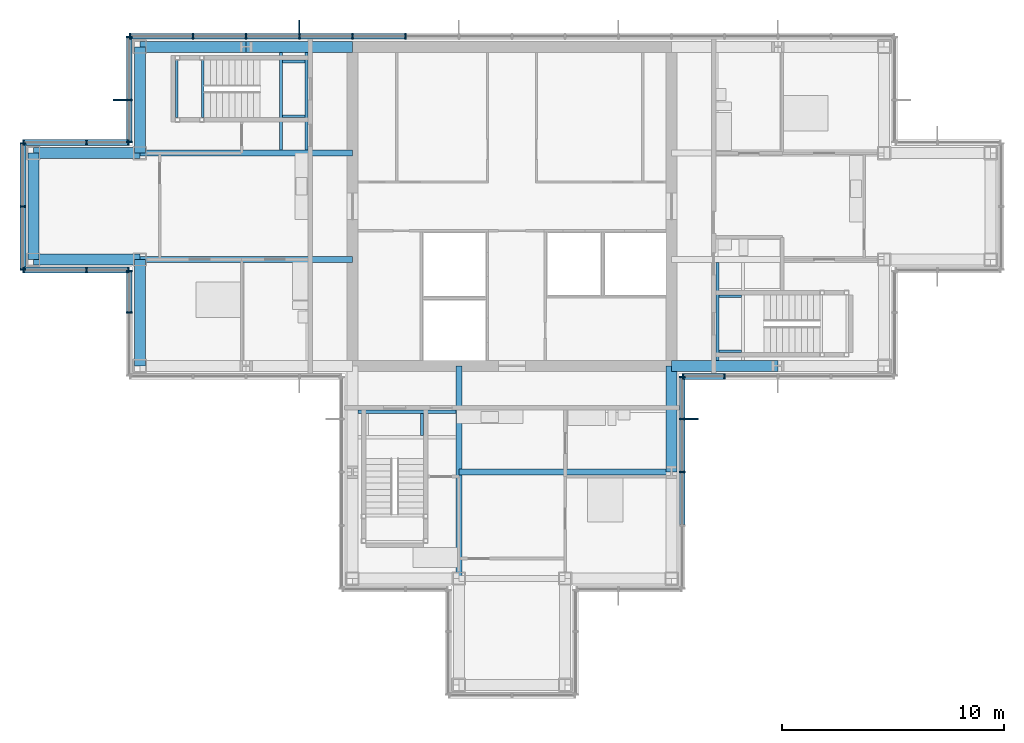
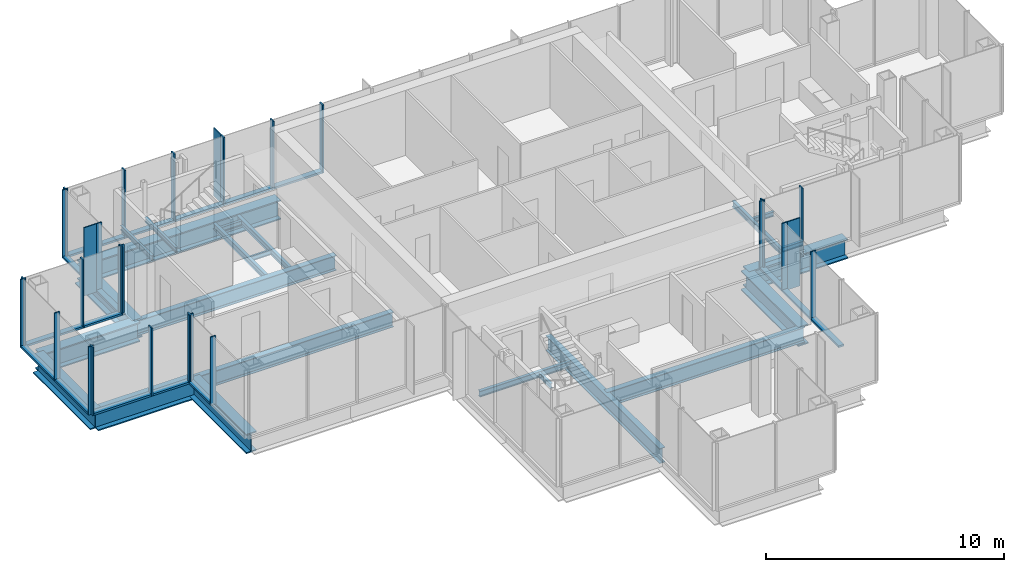
# One storey, part 6 of 15: 46 members, 24 beams, 8 elements without a shape of their own.
"""IFC4 building model written with IfcOpenShell, lengths in metres."""

import ifcopenshell
import ifcopenshell.guid

model = None  # the IFC model being written
_history = None  # IfcOwnerHistory: only IFC2X3 demands one
_inside = {}  # id of a spatial element -> (the spatial element, [elements in it])
_under = {}  # id of a project, library or spatial element -> (it, [spatial elements below it])
_declared = {}  # id of a project -> (the project, [libraries it declares])
_typed = {}  # id of a type object -> (the type object, [elements of that type])
_made_of = {}  # id of a material, layer set ... -> (it, [elements and type objects made of it])


def new_model(schema):
    """Start an empty IFC model of exactly this schema.

    Asked for "IFC4X3", IfcOpenShell would pick the latest addendum, in which some entities
    have other attributes; the version numbers below select the first issue.
    IFC2X3 requires an IfcOwnerHistory on every rooted entity: one is made here for all.
    """
    global model, _history
    if schema == "IFC4X3":
        model = ifcopenshell.file(schema_version=(4, 3, 0, 0))
    else:
        model = ifcopenshell.file(schema=schema)
    _inside.clear()
    _under.clear()
    _declared.clear()
    _typed.clear()
    _made_of.clear()
    _history = None
    if model.schema == "IFC2X3":
        org = make("IfcOrganization", Name="unknown")
        user = make(
            "IfcPersonAndOrganization",
            ThePerson=make("IfcPerson", FamilyName="unknown"),
            TheOrganization=org,
        )
        app = make(
            "IfcApplication",
            ApplicationDeveloper=org,
            Version="unknown",
            ApplicationFullName="unknown",
            ApplicationIdentifier="unknown",
        )
        _history = make(
            "IfcOwnerHistory",
            OwningUser=user,
            OwningApplication=app,
            ChangeAction="ADDED",
            CreationDate=0,
        )
    return model


def make(cls, **values):
    """One entity of the class cls with the attributes given. An attribute that is None is left unset."""
    return model.create_entity(
        cls, **{name: value for name, value in values.items() if value is not None}
    )


def rooted(cls, **values):
    """An entity with a GlobalId (a new one), such as an element, a storey or a relation."""
    return make(cls, GlobalId=ifcopenshell.guid.new(), OwnerHistory=_history, **values)


def si_unit(unit_type, name, prefix=None):
    """IfcSIUnit, for example si_unit("LENGTHUNIT", "METRE", prefix="MILLI")."""
    return make("IfcSIUnit", UnitType=unit_type, Prefix=prefix, Name=name)


def assignment(units):
    """IfcUnitAssignment: the units of a project."""
    return None if units is None else make("IfcUnitAssignment", Units=units)


def point(xyz):
    """IfcCartesianPoint."""
    return None if xyz is None else make("IfcCartesianPoint", Coordinates=xyz)


def direction(xyz):
    """IfcDirection."""
    return None if xyz is None else make("IfcDirection", DirectionRatios=xyz)


def frame(location, z_axis=None, x_axis=None):
    """IfcAxis2Placement3D, a coordinate frame: its origin and axes. An axis left out is left unset."""
    return make(
        "IfcAxis2Placement3D",
        Location=point(location),
        Axis=direction(z_axis),
        RefDirection=direction(x_axis),
    )


def frame_2d(location, x_axis=None):
    """IfcAxis2Placement2D, a coordinate frame in the plane: its origin and x axis."""
    return make(
        "IfcAxis2Placement2D", Location=point(location), RefDirection=direction(x_axis)
    )


def origin():
    """The frame at (0, 0, 0) with its axes left unset."""
    return frame((0.0, 0.0, 0.0))


def origin_2d():
    """The frame at (0, 0) in the plane with its x axis left unset."""
    return frame_2d((0.0, 0.0))


def place(relative_to, where):
    """IfcLocalPlacement: puts the frame where relative to a parent placement (None: the world)."""
    return make(
        "IfcLocalPlacement", PlacementRelTo=relative_to, RelativePlacement=where
    )


def context(
    kind, dimensions, precision=None, world=None, true_north=None, identifier=None
):
    """IfcGeometricRepresentationContext, for example the 3D "Model" context."""
    return make(
        "IfcGeometricRepresentationContext",
        ContextIdentifier=identifier,
        ContextType=kind,
        CoordinateSpaceDimension=dimensions,
        Precision=precision,
        WorldCoordinateSystem=world,
        TrueNorth=true_north,
    )


def subcontext(parent, identifier, kind, view, scale=None):
    """IfcGeometricRepresentationSubContext, for example "Body" below "Model"."""
    return make(
        "IfcGeometricRepresentationSubContext",
        ContextIdentifier=identifier,
        ContextType=kind,
        ParentContext=parent,
        TargetScale=scale,
        TargetView=view,
    )


def project(units=None, contexts=None):
    """IfcProject with its units and contexts."""
    return rooted(
        "IfcProject",
        Name="project",
        RepresentationContexts=contexts,
        UnitsInContext=assignment(units),
    )


def spatial(cls, under=None, at=None, **own):
    """A site, building, storey or space (cls), placed at a placement, below another one or the project."""
    s = rooted(cls, ObjectPlacement=at, **own)
    if under is not None:
        _under.setdefault(under.id(), (under, []))[1].append(s)
    return s


def profile(cls, at=None, kind="AREA", **sizes):
    """A parametric profile (cls). Its sizes go by their IFC names, for example OverallWidth=200.0."""
    return make(cls, ProfileType=kind, Position=at, **sizes)


def rectangle(**sizes):
    """IfcRectangleProfileDef."""
    return profile("IfcRectangleProfileDef", **sizes)


def i_section(**sizes):
    """IfcIShapeProfileDef."""
    return profile("IfcIShapeProfileDef", **sizes)


def extrude(swept, where, along, depth):
    """IfcExtrudedAreaSolid: the profile swept, set in the frame where, extruded along a direction by depth."""
    return make(
        "IfcExtrudedAreaSolid",
        SweptArea=swept,
        Position=where,
        ExtrudedDirection=direction(along),
        Depth=depth,
    )


def shape(context_of_items, identifier, shape_type, items):
    """IfcShapeRepresentation: the items that make up one representation, for example the "Body"."""
    return make(
        "IfcShapeRepresentation",
        ContextOfItems=context_of_items,
        RepresentationIdentifier=identifier,
        RepresentationType=shape_type,
        Items=items,
    )


def material(Name=None, Category=None):
    """IfcMaterial."""
    return make("IfcMaterial", Name=Name, Category=Category)


def material_profile(
    of_material, cross_section, Name=None, Category=None, Priority=None
):
    """IfcMaterialProfile: a cross section and its material."""
    return make(
        "IfcMaterialProfile",
        Name=Name,
        Material=of_material,
        Profile=cross_section,
        Priority=Priority,
        Category=Category,
    )


def profile_set(profiles, Name=None, composite=None):
    """IfcMaterialProfileSet."""
    return make(
        "IfcMaterialProfileSet",
        Name=Name,
        MaterialProfiles=profiles,
        CompositeProfile=composite,
    )


def made_of(thing, what):
    """Note that an element or type object is made of a material, layer set ...; save() writes the relation."""
    if what is not None:
        _made_of.setdefault(what.id(), (what, []))[1].append(thing)
    return thing


def type_object(cls, material=None, **own):
    """A type object (cls), such as IfcWallType, which elements share."""
    return made_of(rooted(cls, **own), material)


def element(
    cls,
    number,
    at=None,
    inside=None,
    cuts=None,
    type_object=None,
    material=None,
    context=None,
    identifier="Body",
    shape_type=None,
    held_by="IfcProductDefinitionShape",
    body=None,
    shapes=None,
    **own,
):
    """One element of the class cls, such as IfcWall. Its Tag is "e" and its number.

    at: its placement. inside: the storey or other place that contains it. cuts: it is an
    opening in that element (IfcRelVoidsElement). A single representation is given by context,
    identifier, shape_type and body (its items); several are given by shapes. held_by: the class
    of the entity that holds the representations. save() writes the other relations.
    """
    e = rooted(cls, Tag="e%d" % number, ObjectPlacement=at, **own)
    if body is not None:
        shapes = [shape(context, identifier, shape_type, body)]
    if shapes is not None:
        e.Representation = make(held_by, Representations=shapes)
    if inside is not None:
        _inside.setdefault(inside.id(), (inside, []))[1].append(e)
    if cuts is not None:
        rooted(
            "IfcRelVoidsElement", RelatingBuildingElement=cuts, RelatedOpeningElement=e
        )
    if type_object is not None:
        _typed.setdefault(type_object.id(), (type_object, []))[1].append(e)
    return made_of(e, material)


def aggregate(whole, parts):
    """IfcRelAggregates: a whole, such as a stair, and the parts it consists of."""
    return rooted("IfcRelAggregates", RelatingObject=whole, RelatedObjects=parts)


def save(model, path):
    """Write the relations noted so far, then the file.

    IfcRelAggregates (storeys below a building ...), IfcRelContainedInSpatialStructure (elements
    in a storey), IfcRelDefinesByType, IfcRelAssociatesMaterial and IfcRelDeclares: one each for
    every whole, place, type object, material and project.
    """
    for whole, parts in _under.values():
        aggregate(whole, parts)
    for where, things in _inside.values():
        rooted(
            "IfcRelContainedInSpatialStructure",
            RelatedElements=things,
            RelatingStructure=where,
        )
    for kind, things in _typed.values():
        rooted("IfcRelDefinesByType", RelatedObjects=things, RelatingType=kind)
    for what, things in _made_of.values():
        rooted("IfcRelAssociatesMaterial", RelatedObjects=things, RelatingMaterial=what)
    for by, libraries in _declared.values():
        rooted("IfcRelDeclares", RelatingContext=by, RelatedDefinitions=libraries)
    model.write(path)


model = new_model("IFC4")

# Units and contexts
model_context = context("Model", 3, precision=1e-05, world=origin(), true_north=direction((0.0, 1.0)))
body_context = subcontext(model_context, "Body", "Model", "MODEL_VIEW")
ifc_project = project(units=[si_unit("LENGTHUNIT", "METRE"), si_unit("AREAUNIT", "SQUARE_METRE"), si_unit("VOLUMEUNIT", "CUBIC_METRE"), si_unit("PLANEANGLEUNIT", "RADIAN"), si_unit("MASSUNIT", "GRAM", prefix="KILO")], contexts=[model_context])

# Site, building, storey
site_placement = place(None, origin())
site = spatial("IfcSite", under=ifc_project, at=site_placement, CompositionType="ELEMENT")
building_placement = place(site_placement, origin())
building = spatial("IfcBuilding", under=site, at=building_placement, Name="Kvirike Care Tower", CompositionType="ELEMENT")
storey_placement = place(building_placement, frame((0.0, 0.0, 201.5)))
storey = spatial("IfcBuildingStorey", under=building, at=storey_placement, Name="L55", CompositionType="ELEMENT", Elevation=201.5)

# Curtain wall, member
ifc_material_1 = material(Name="Anodised aluminium stick system", Category="aluminium")
curtain_wall_type = type_object("IfcCurtainWallType", Name="CW-D STICK CURTAIN WALL", PredefinedType="NOTDEFINED", material=ifc_material_1)
curtain_wall_1_placement = place(storey_placement, origin())
curtain_wall_1 = element("IfcCurtainWall", 1, at=curtain_wall_1_placement, inside=storey, type_object=curtain_wall_type, Name="Curtain wall L55 face 7", PredefinedType="NOTDEFINED")
ifc_material_2 = material(Name="Bronze anodised aluminium fin", Category="aluminium")
ifc_material_profile_1 = material_profile(ifc_material_2, rectangle(XDim=0.050048828125, YDim=0.60009765625, at=origin_2d()), Name="BRONZE FIN 600")
ifc_profile_set_1 = profile_set([ifc_material_profile_1], Name="Bronze anodised aluminium fin")
member_type_1 = type_object("IfcMemberType", Name="BRONZE FIN 600", PredefinedType="USERDEFINED", material=ifc_profile_set_1)
member_1_placement = place(storey_placement, frame((12.0, 44.110107421875, 0.0), z_axis=(0.0, 0.0, 1.0), x_axis=(-1.0, 0.0, 0.0)))
member_1 = element("IfcMember", 2, at=member_1_placement, type_object=member_type_1, Name="Bronze fin L55 face 7.12", ObjectType="FIN", PredefinedType="USERDEFINED", context=body_context, shape_type="SweptSolid", body=[
    extrude(rectangle(XDim=0.050048828125, YDim=0.60009765625, at=origin_2d()), origin(), (0.0, 0.0, 1.0), 3.5),
])

curtain_wall_2_placement = place(storey_placement, origin())
curtain_wall_2 = element("IfcCurtainWall", 3, at=curtain_wall_2_placement, inside=storey, type_object=curtain_wall_type, Name="Curtain wall L55 face 8", PredefinedType="NOTDEFINED")
member_2_placement = place(storey_placement, frame((3.889892578125, 40.800048828125, 0.0), z_axis=(0.0, 0.0, 1.0), x_axis=(0.0, -1.0, 0.0)))
member_2 = element("IfcMember", 4, at=member_2_placement, type_object=member_type_1, Name="Bronze fin L55 face 8.2", ObjectType="FIN", PredefinedType="USERDEFINED", context=body_context, shape_type="SweptSolid", body=[
    extrude(rectangle(XDim=0.050048828125, YDim=0.60009765625, at=origin_2d()), origin(), (0.0, 0.0, 1.0), 3.5),
])

curtain_wall_3_placement = place(storey_placement, origin())
curtain_wall_3 = element("IfcCurtainWall", 5, at=curtain_wall_3_placement, inside=storey, type_object=curtain_wall_type, Name="Curtain wall L55 face 20", PredefinedType="NOTDEFINED")
member_3_placement = place(storey_placement, frame((29.7099609375, 26.39990234375, 0.0), z_axis=(0.0, 0.0, 1.0), x_axis=(0.0, 1.0, 0.0)))
member_3 = element("IfcMember", 6, at=member_3_placement, type_object=member_type_1, Name="Bronze fin L55 face 20.4", ObjectType="FIN", PredefinedType="USERDEFINED", context=body_context, shape_type="SweptSolid", body=[
    extrude(rectangle(XDim=0.050048828125, YDim=0.60009765625, at=origin_2d()), origin(), (0.0, 0.0, 1.0), 3.5),
])

# Curtain wall, members
curtain_wall_4_placement = place(storey_placement, origin())
curtain_wall_4 = element("IfcCurtainWall", 7, at=curtain_wall_4_placement, inside=storey, type_object=curtain_wall_type, Name="Curtain wall L55 face 1", PredefinedType="NOTDEFINED")
ifc_material_3 = material(Name="Bronze anodised aluminium mullion", Category="aluminium")
ifc_material_profile_2 = material_profile(ifc_material_3, rectangle(XDim=0.06494140625, YDim=0.260009765625, at=origin_2d()), Name="CW-D MULLION 65x260")
ifc_profile_set_2 = profile_set([ifc_material_profile_2], Name="Bronze anodised aluminium mullion")
member_type_2 = type_object("IfcMemberType", Name="CW-D MULLION 65x260", PredefinedType="MULLION", material=ifc_profile_set_2)
member_4_placement = place(storey_placement, frame((29.3125, 28.320068359375, 0.0), z_axis=(0.0, 0.0, 1.0), x_axis=(1.0, 0.0, 0.0)))
member_4 = element("IfcMember", 8, at=member_4_placement, type_object=member_type_2, Name="CW-D mullion L55 face 1.1", PredefinedType="MULLION", context=body_context, shape_type="SweptSolid", body=[
    extrude(rectangle(XDim=0.06494140625, YDim=0.260009765625, at=origin_2d()), origin(), (0.0, 0.0, 1.0), 3.5),
])
member_5_placement = place(storey_placement, frame((31.199951171875, 28.320068359375, 0.0), z_axis=(0.0, 0.0, 1.0), x_axis=(1.0, 0.0, 0.0)))
member_5 = element("IfcMember", 9, at=member_5_placement, type_object=member_type_2, Name="CW-D mullion L55 face 1.2", PredefinedType="MULLION", context=body_context, shape_type="SweptSolid", body=[
    extrude(rectangle(XDim=0.06494140625, YDim=0.260009765625, at=origin_2d()), origin(), (0.0, 0.0, 1.0), 3.5),
])

# Member
member_6_placement = place(storey_placement, frame((16.800048828125, 43.679931640625, 0.0), z_axis=(0.0, 0.0, 1.0), x_axis=(-1.0, 0.0, 0.0)))
member_6 = element("IfcMember", 10, at=member_6_placement, type_object=member_type_2, Name="CW-D mullion L55 face 7.10", PredefinedType="MULLION", context=body_context, shape_type="SweptSolid", body=[
    extrude(rectangle(XDim=0.06494140625, YDim=0.260009765625, at=origin_2d()), origin(), (0.0, 0.0, 1.0), 3.5),
])

member_7_placement = place(storey_placement, frame((14.39990234375, 43.679931640625, 0.0), z_axis=(0.0, 0.0, 1.0), x_axis=(-1.0, 0.0, 0.0)))
member_7 = element("IfcMember", 11, at=member_7_placement, type_object=member_type_2, Name="CW-D mullion L55 face 7.11", PredefinedType="MULLION", context=body_context, shape_type="SweptSolid", body=[
    extrude(rectangle(XDim=0.06494140625, YDim=0.260009765625, at=origin_2d()), origin(), (0.0, 0.0, 1.0), 3.5),
])

member_8_placement = place(storey_placement, frame((12.0, 43.679931640625, 0.0), z_axis=(0.0, 0.0, 1.0), x_axis=(-1.0, 0.0, 0.0)))
member_8 = element("IfcMember", 12, at=member_8_placement, type_object=member_type_2, Name="CW-D mullion L55 face 7.12", PredefinedType="MULLION", context=body_context, shape_type="SweptSolid", body=[
    extrude(rectangle(XDim=0.06494140625, YDim=0.260009765625, at=origin_2d()), origin(), (0.0, 0.0, 1.0), 3.5),
])

member_9_placement = place(storey_placement, frame((9.60009765625, 43.679931640625, 0.0), z_axis=(0.0, 0.0, 1.0), x_axis=(-1.0, 0.0, 0.0)))
member_9 = element("IfcMember", 13, at=member_9_placement, type_object=member_type_2, Name="CW-D mullion L55 face 7.13", PredefinedType="MULLION", context=body_context, shape_type="SweptSolid", body=[
    extrude(rectangle(XDim=0.06494140625, YDim=0.260009765625, at=origin_2d()), origin(), (0.0, 0.0, 1.0), 3.5),
])

member_10_placement = place(storey_placement, frame((7.199951171875, 43.679931640625, 0.0), z_axis=(0.0, 0.0, 1.0), x_axis=(-1.0, 0.0, 0.0)))
member_10 = element("IfcMember", 14, at=member_10_placement, type_object=member_type_2, Name="CW-D mullion L55 face 7.14", PredefinedType="MULLION", context=body_context, shape_type="SweptSolid", body=[
    extrude(rectangle(XDim=0.06494140625, YDim=0.260009765625, at=origin_2d()), origin(), (0.0, 0.0, 1.0), 3.5),
])

member_11_placement = place(storey_placement, frame((4.3525390625, 43.679931640625, 0.0), z_axis=(0.0, 0.0, 1.0), x_axis=(-1.0, 0.0, 0.0)))
member_11 = element("IfcMember", 15, at=member_11_placement, type_object=member_type_2, Name="CW-D mullion L55 face 7.15", PredefinedType="MULLION", context=body_context, shape_type="SweptSolid", body=[
    extrude(rectangle(XDim=0.06494140625, YDim=0.260009765625, at=origin_2d()), origin(), (0.0, 0.0, 1.0), 3.5),
])

member_12_placement = place(storey_placement, frame((4.320068359375, 43.6474609375, 0.0), z_axis=(0.0, 0.0, 1.0), x_axis=(0.0, -1.0, 0.0)))
member_12 = element("IfcMember", 16, at=member_12_placement, type_object=member_type_2, Name="CW-D mullion L55 face 8.1", PredefinedType="MULLION", context=body_context, shape_type="SweptSolid", body=[
    extrude(rectangle(XDim=0.06494140625, YDim=0.260009765625, at=origin_2d()), origin(), (0.0, 0.0, 1.0), 3.5),
])

member_13_placement = place(storey_placement, frame((4.320068359375, 40.800048828125, 0.0), z_axis=(0.0, 0.0, 1.0), x_axis=(0.0, -1.0, 0.0)))
member_13 = element("IfcMember", 17, at=member_13_placement, type_object=member_type_2, Name="CW-D mullion L55 face 8.2", PredefinedType="MULLION", context=body_context, shape_type="SweptSolid", body=[
    extrude(rectangle(XDim=0.06494140625, YDim=0.260009765625, at=origin_2d()), origin(), (0.0, 0.0, 1.0), 3.5),
])

member_14_placement = place(storey_placement, frame((4.320068359375, 38.91259765625, 0.0), z_axis=(0.0, 0.0, 1.0), x_axis=(0.0, -1.0, 0.0)))
member_14 = element("IfcMember", 18, at=member_14_placement, type_object=member_type_2, Name="CW-D mullion L55 face 8.3", PredefinedType="MULLION", context=body_context, shape_type="SweptSolid", body=[
    extrude(rectangle(XDim=0.06494140625, YDim=0.260009765625, at=origin_2d()), origin(), (0.0, 0.0, 1.0), 3.5),
])

# Curtain wall, members
curtain_wall_5_placement = place(storey_placement, origin())
curtain_wall_5 = element("IfcCurtainWall", 19, at=curtain_wall_5_placement, inside=storey, type_object=curtain_wall_type, Name="Curtain wall L55 face 9", PredefinedType="NOTDEFINED")
member_15_placement = place(storey_placement, frame((4.28759765625, 38.8798828125, 0.0), z_axis=(0.0, 0.0, 1.0), x_axis=(-1.0, 0.0, 0.0)))
member_15 = element("IfcMember", 20, at=member_15_placement, type_object=member_type_2, Name="CW-D mullion L55 face 9.1", PredefinedType="MULLION", context=body_context, shape_type="SweptSolid", body=[
    extrude(rectangle(XDim=0.06494140625, YDim=0.260009765625, at=origin_2d()), origin(), (0.0, 0.0, 1.0), 3.5),
])
member_16_placement = place(storey_placement, frame((2.39990234375, 38.8798828125, 0.0), z_axis=(0.0, 0.0, 1.0), x_axis=(-1.0, 0.0, 0.0)))
member_16 = element("IfcMember", 21, at=member_16_placement, type_object=member_type_2, Name="CW-D mullion L55 face 9.2", PredefinedType="MULLION", context=body_context, shape_type="SweptSolid", body=[
    extrude(rectangle(XDim=0.06494140625, YDim=0.260009765625, at=origin_2d()), origin(), (0.0, 0.0, 1.0), 3.5),
])
member_17_placement = place(storey_placement, frame((-0.447509765625, 38.8798828125, 0.0), z_axis=(0.0, 0.0, 1.0), x_axis=(-1.0, 0.0, 0.0)))
member_17 = element("IfcMember", 22, at=member_17_placement, type_object=member_type_2, Name="CW-D mullion L55 face 9.3", PredefinedType="MULLION", context=body_context, shape_type="SweptSolid", body=[
    extrude(rectangle(XDim=0.06494140625, YDim=0.260009765625, at=origin_2d()), origin(), (0.0, 0.0, 1.0), 3.5),
])

curtain_wall_6_placement = place(storey_placement, origin())
curtain_wall_6 = element("IfcCurtainWall", 23, at=curtain_wall_6_placement, inside=storey, type_object=curtain_wall_type, Name="Curtain wall L55 face 10", PredefinedType="NOTDEFINED")
member_18_placement = place(storey_placement, frame((-0.47998046875, 38.847412109375, 0.0), z_axis=(0.0, 0.0, 1.0), x_axis=(0.0, -1.0, 0.0)))
member_18 = element("IfcMember", 24, at=member_18_placement, type_object=member_type_2, Name="CW-D mullion L55 face 10.1", PredefinedType="MULLION", context=body_context, shape_type="SweptSolid", body=[
    extrude(rectangle(XDim=0.06494140625, YDim=0.260009765625, at=origin_2d()), origin(), (0.0, 0.0, 1.0), 3.5),
])
member_19_placement = place(storey_placement, frame((-0.47998046875, 36.0, 0.0), z_axis=(0.0, 0.0, 1.0), x_axis=(0.0, -1.0, 0.0)))
member_19 = element("IfcMember", 25, at=member_19_placement, type_object=member_type_2, Name="CW-D mullion L55 face 10.2", PredefinedType="MULLION", context=body_context, shape_type="SweptSolid", body=[
    extrude(rectangle(XDim=0.06494140625, YDim=0.260009765625, at=origin_2d()), origin(), (0.0, 0.0, 1.0), 3.5),
])
member_20_placement = place(storey_placement, frame((-0.47998046875, 33.152587890625, 0.0), z_axis=(0.0, 0.0, 1.0), x_axis=(0.0, -1.0, 0.0)))
member_20 = element("IfcMember", 26, at=member_20_placement, type_object=member_type_2, Name="CW-D mullion L55 face 10.3", PredefinedType="MULLION", context=body_context, shape_type="SweptSolid", body=[
    extrude(rectangle(XDim=0.06494140625, YDim=0.260009765625, at=origin_2d()), origin(), (0.0, 0.0, 1.0), 3.5),
])

curtain_wall_7_placement = place(storey_placement, origin())
curtain_wall_7 = element("IfcCurtainWall", 27, at=curtain_wall_7_placement, inside=storey, type_object=curtain_wall_type, Name="Curtain wall L55 face 11", PredefinedType="NOTDEFINED")
member_21_placement = place(storey_placement, frame((-0.447509765625, 33.1201171875, 0.0), z_axis=(0.0, 0.0, 1.0), x_axis=(1.0, 0.0, 0.0)))
member_21 = element("IfcMember", 28, at=member_21_placement, type_object=member_type_2, Name="CW-D mullion L55 face 11.1", PredefinedType="MULLION", context=body_context, shape_type="SweptSolid", body=[
    extrude(rectangle(XDim=0.06494140625, YDim=0.260009765625, at=origin_2d()), origin(), (0.0, 0.0, 1.0), 3.5),
])
member_22_placement = place(storey_placement, frame((2.39990234375, 33.1201171875, 0.0), z_axis=(0.0, 0.0, 1.0), x_axis=(1.0, 0.0, 0.0)))
member_22 = element("IfcMember", 29, at=member_22_placement, type_object=member_type_2, Name="CW-D mullion L55 face 11.2", PredefinedType="MULLION", context=body_context, shape_type="SweptSolid", body=[
    extrude(rectangle(XDim=0.06494140625, YDim=0.260009765625, at=origin_2d()), origin(), (0.0, 0.0, 1.0), 3.5),
])
member_23_placement = place(storey_placement, frame((4.28759765625, 33.1201171875, 0.0), z_axis=(0.0, 0.0, 1.0), x_axis=(1.0, 0.0, 0.0)))
member_23 = element("IfcMember", 30, at=member_23_placement, type_object=member_type_2, Name="CW-D mullion L55 face 11.3", PredefinedType="MULLION", context=body_context, shape_type="SweptSolid", body=[
    extrude(rectangle(XDim=0.06494140625, YDim=0.260009765625, at=origin_2d()), origin(), (0.0, 0.0, 1.0), 3.5),
])

curtain_wall_8_placement = place(storey_placement, origin())
curtain_wall_8 = element("IfcCurtainWall", 31, at=curtain_wall_8_placement, inside=storey, type_object=curtain_wall_type, Name="Curtain wall L55 face 12", PredefinedType="NOTDEFINED")
member_24_placement = place(storey_placement, frame((4.320068359375, 33.08740234375, 0.0), z_axis=(0.0, 0.0, 1.0), x_axis=(0.0, -1.0, 0.0)))
member_24 = element("IfcMember", 32, at=member_24_placement, type_object=member_type_2, Name="CW-D mullion L55 face 12.1", PredefinedType="MULLION", context=body_context, shape_type="SweptSolid", body=[
    extrude(rectangle(XDim=0.06494140625, YDim=0.260009765625, at=origin_2d()), origin(), (0.0, 0.0, 1.0), 3.5),
])
member_25_placement = place(storey_placement, frame((4.320068359375, 31.199951171875, 0.0), z_axis=(0.0, 0.0, 1.0), x_axis=(0.0, -1.0, 0.0)))
member_25 = element("IfcMember", 33, at=member_25_placement, type_object=member_type_2, Name="CW-D mullion L55 face 12.2", PredefinedType="MULLION", context=body_context, shape_type="SweptSolid", body=[
    extrude(rectangle(XDim=0.06494140625, YDim=0.260009765625, at=origin_2d()), origin(), (0.0, 0.0, 1.0), 3.5),
])

# Member
member_26_placement = place(storey_placement, frame((29.280029296875, 24.0, 0.0), z_axis=(0.0, 0.0, 1.0), x_axis=(0.0, 1.0, 0.0)))
member_26 = element("IfcMember", 34, at=member_26_placement, type_object=member_type_2, Name="CW-D mullion L55 face 20.3", PredefinedType="MULLION", context=body_context, shape_type="SweptSolid", body=[
    extrude(rectangle(XDim=0.06494140625, YDim=0.260009765625, at=origin_2d()), origin(), (0.0, 0.0, 1.0), 3.5),
])

member_27_placement = place(storey_placement, frame((29.280029296875, 26.39990234375, 0.0), z_axis=(0.0, 0.0, 1.0), x_axis=(0.0, 1.0, 0.0)))
member_27 = element("IfcMember", 35, at=member_27_placement, type_object=member_type_2, Name="CW-D mullion L55 face 20.4", PredefinedType="MULLION", context=body_context, shape_type="SweptSolid", body=[
    extrude(rectangle(XDim=0.06494140625, YDim=0.260009765625, at=origin_2d()), origin(), (0.0, 0.0, 1.0), 3.5),
])

member_28_placement = place(storey_placement, frame((29.280029296875, 28.28759765625, 0.0), z_axis=(0.0, 0.0, 1.0), x_axis=(0.0, 1.0, 0.0)))
member_28 = element("IfcMember", 36, at=member_28_placement, type_object=member_type_2, Name="CW-D mullion L55 face 20.5", PredefinedType="MULLION", context=body_context, shape_type="SweptSolid", body=[
    extrude(rectangle(XDim=0.06494140625, YDim=0.260009765625, at=origin_2d()), origin(), (0.0, 0.0, 1.0), 3.5),
])

ifc_material_4 = material(Name="Bronze anodised aluminium transom", Category="aluminium")
ifc_material_profile_3 = material_profile(ifc_material_4, rectangle(XDim=0.260009765625, YDim=0.10009765625, at=origin_2d()), Name="CW-D TRANSOM 260x100")
ifc_profile_set_3 = profile_set([ifc_material_profile_3], Name="Bronze anodised aluminium transom")
member_type_3 = type_object("IfcMemberType", Name="CW-D TRANSOM 260x100", PredefinedType="USERDEFINED", material=ifc_profile_set_3)
member_29_placement = place(storey_placement, frame((29.344970703125, 28.320068359375, 0.050048828125), z_axis=(1.0, 0.0, 0.0), x_axis=(0.0, 1.0, 0.0)))
member_29 = element("IfcMember", 37, at=member_29_placement, type_object=member_type_3, Name="CW-D sill transom L55 face 1.1", ObjectType="TRANSOM", PredefinedType="USERDEFINED", context=body_context, shape_type="SweptSolid", body=[
    extrude(rectangle(XDim=0.260009765625, YDim=0.10009765625, at=origin_2d()), origin(), (0.0, 0.0, 1.0), 1.822509765625),
])

aggregate(curtain_wall_4, [member_4, member_5, member_29])

member_30_placement = place(storey_placement, frame((16.767578125, 43.679931640625, 0.050048828125), z_axis=(-1.0, 0.0, 0.0), x_axis=(0.0, -1.0, 0.0)))
member_30 = element("IfcMember", 38, at=member_30_placement, type_object=member_type_3, Name="CW-D sill transom L55 face 7.10", ObjectType="TRANSOM", PredefinedType="USERDEFINED", context=body_context, shape_type="SweptSolid", body=[
    extrude(rectangle(XDim=0.260009765625, YDim=0.10009765625, at=origin_2d()), origin(), (0.0, 0.0, 1.0), 2.3349609375),
])

member_31_placement = place(storey_placement, frame((14.367431640625, 43.679931640625, 0.050048828125), z_axis=(-1.0, 0.0, 0.0), x_axis=(0.0, -1.0, 0.0)))
member_31 = element("IfcMember", 39, at=member_31_placement, type_object=member_type_3, Name="CW-D sill transom L55 face 7.11", ObjectType="TRANSOM", PredefinedType="USERDEFINED", context=body_context, shape_type="SweptSolid", body=[
    extrude(rectangle(XDim=0.260009765625, YDim=0.10009765625, at=origin_2d()), origin(), (0.0, 0.0, 1.0), 2.3349609375),
])

member_32_placement = place(storey_placement, frame((11.967529296875, 43.679931640625, 0.050048828125), z_axis=(-1.0, 0.0, 0.0), x_axis=(0.0, -1.0, 0.0)))
member_32 = element("IfcMember", 40, at=member_32_placement, type_object=member_type_3, Name="CW-D sill transom L55 face 7.12", ObjectType="TRANSOM", PredefinedType="USERDEFINED", context=body_context, shape_type="SweptSolid", body=[
    extrude(rectangle(XDim=0.260009765625, YDim=0.10009765625, at=origin_2d()), origin(), (0.0, 0.0, 1.0), 2.3349609375),
])

member_33_placement = place(storey_placement, frame((9.5673828125, 43.679931640625, 0.050048828125), z_axis=(-1.0, 0.0, 0.0), x_axis=(0.0, -1.0, 0.0)))
member_33 = element("IfcMember", 41, at=member_33_placement, type_object=member_type_3, Name="CW-D sill transom L55 face 7.13", ObjectType="TRANSOM", PredefinedType="USERDEFINED", context=body_context, shape_type="SweptSolid", body=[
    extrude(rectangle(XDim=0.260009765625, YDim=0.10009765625, at=origin_2d()), origin(), (0.0, 0.0, 1.0), 2.3349609375),
])

member_34_placement = place(storey_placement, frame((7.16748046875, 43.679931640625, 0.050048828125), z_axis=(-1.0, 0.0, 0.0), x_axis=(0.0, -1.0, 0.0)))
member_34 = element("IfcMember", 42, at=member_34_placement, type_object=member_type_3, Name="CW-D sill transom L55 face 7.14", ObjectType="TRANSOM", PredefinedType="USERDEFINED", context=body_context, shape_type="SweptSolid", body=[
    extrude(rectangle(XDim=0.260009765625, YDim=0.10009765625, at=origin_2d()), origin(), (0.0, 0.0, 1.0), 2.782470703125),
])

aggregate(curtain_wall_1, [member_6, member_7, member_8, member_1, member_9, member_10, member_11, member_30, member_31, member_32, member_33, member_34])

member_35_placement = place(storey_placement, frame((4.320068359375, 43.614990234375, 0.050048828125), z_axis=(0.0, -1.0, 0.0), x_axis=(1.0, 0.0, 0.0)))
member_35 = element("IfcMember", 43, at=member_35_placement, type_object=member_type_3, Name="CW-D sill transom L55 face 8.1", ObjectType="TRANSOM", PredefinedType="USERDEFINED", context=body_context, shape_type="SweptSolid", body=[
    extrude(rectangle(XDim=0.260009765625, YDim=0.10009765625, at=origin_2d()), origin(), (0.0, 0.0, 1.0), 2.782470703125),
])

member_36_placement = place(storey_placement, frame((4.320068359375, 40.767578125, 0.050048828125), z_axis=(0.0, -1.0, 0.0), x_axis=(1.0, 0.0, 0.0)))
member_36 = element("IfcMember", 44, at=member_36_placement, type_object=member_type_3, Name="CW-D sill transom L55 face 8.2", ObjectType="TRANSOM", PredefinedType="USERDEFINED", context=body_context, shape_type="SweptSolid", body=[
    extrude(rectangle(XDim=0.260009765625, YDim=0.10009765625, at=origin_2d()), origin(), (0.0, 0.0, 1.0), 1.822509765625),
])

aggregate(curtain_wall_2, [member_12, member_13, member_2, member_14, member_35, member_36])

member_37_placement = place(storey_placement, frame((4.2548828125, 38.8798828125, 0.050048828125), z_axis=(-1.0, 0.0, 0.0), x_axis=(0.0, -1.0, 0.0)))
member_37 = element("IfcMember", 45, at=member_37_placement, type_object=member_type_3, Name="CW-D sill transom L55 face 9.1", ObjectType="TRANSOM", PredefinedType="USERDEFINED", context=body_context, shape_type="SweptSolid", body=[
    extrude(rectangle(XDim=0.260009765625, YDim=0.10009765625, at=origin_2d()), origin(), (0.0, 0.0, 1.0), 1.822265625),
])

member_38_placement = place(storey_placement, frame((2.367431640625, 38.8798828125, 0.050048828125), z_axis=(-1.0, 0.0, 0.0), x_axis=(0.0, -1.0, 0.0)))
member_38 = element("IfcMember", 46, at=member_38_placement, type_object=member_type_3, Name="CW-D sill transom L55 face 9.2", ObjectType="TRANSOM", PredefinedType="USERDEFINED", context=body_context, shape_type="SweptSolid", body=[
    extrude(rectangle(XDim=0.260009765625, YDim=0.10009765625, at=origin_2d()), origin(), (0.0, 0.0, 1.0), 2.782470703125),
])

aggregate(curtain_wall_5, [member_15, member_16, member_17, member_37, member_38])

member_39_placement = place(storey_placement, frame((-0.47998046875, 38.81494140625, 0.050048828125), z_axis=(0.0, -1.0, 0.0), x_axis=(1.0, 0.0, 0.0)))
member_39 = element("IfcMember", 47, at=member_39_placement, type_object=member_type_3, Name="CW-D sill transom L55 face 10.1", ObjectType="TRANSOM", PredefinedType="USERDEFINED", context=body_context, shape_type="SweptSolid", body=[
    extrude(rectangle(XDim=0.260009765625, YDim=0.10009765625, at=origin_2d()), origin(), (0.0, 0.0, 1.0), 2.782470703125),
])

member_40_placement = place(storey_placement, frame((-0.47998046875, 35.967529296875, 0.050048828125), z_axis=(0.0, -1.0, 0.0), x_axis=(1.0, 0.0, 0.0)))
member_40 = element("IfcMember", 48, at=member_40_placement, type_object=member_type_3, Name="CW-D sill transom L55 face 10.2", ObjectType="TRANSOM", PredefinedType="USERDEFINED", context=body_context, shape_type="SweptSolid", body=[
    extrude(rectangle(XDim=0.260009765625, YDim=0.10009765625, at=origin_2d()), origin(), (0.0, 0.0, 1.0), 2.782470703125),
])

aggregate(curtain_wall_6, [member_18, member_19, member_20, member_39, member_40])

member_41_placement = place(storey_placement, frame((-0.4150390625, 33.1201171875, 0.050048828125), z_axis=(1.0, 0.0, 0.0), x_axis=(0.0, 1.0, 0.0)))
member_41 = element("IfcMember", 49, at=member_41_placement, type_object=member_type_3, Name="CW-D sill transom L55 face 11.1", ObjectType="TRANSOM", PredefinedType="USERDEFINED", context=body_context, shape_type="SweptSolid", body=[
    extrude(rectangle(XDim=0.260009765625, YDim=0.10009765625, at=origin_2d()), origin(), (0.0, 0.0, 1.0), 2.782470703125),
])

member_42_placement = place(storey_placement, frame((2.4326171875, 33.1201171875, 0.050048828125), z_axis=(1.0, 0.0, 0.0), x_axis=(0.0, 1.0, 0.0)))
member_42 = element("IfcMember", 50, at=member_42_placement, type_object=member_type_3, Name="CW-D sill transom L55 face 11.2", ObjectType="TRANSOM", PredefinedType="USERDEFINED", context=body_context, shape_type="SweptSolid", body=[
    extrude(rectangle(XDim=0.260009765625, YDim=0.10009765625, at=origin_2d()), origin(), (0.0, 0.0, 1.0), 1.822265625),
])

aggregate(curtain_wall_7, [member_21, member_22, member_23, member_41, member_42])

member_43_placement = place(storey_placement, frame((4.320068359375, 33.054931640625, 0.050048828125), z_axis=(0.0, -1.0, 0.0), x_axis=(1.0, 0.0, 0.0)))
member_43 = element("IfcMember", 51, at=member_43_placement, type_object=member_type_3, Name="CW-D sill transom L55 face 12.1", ObjectType="TRANSOM", PredefinedType="USERDEFINED", context=body_context, shape_type="SweptSolid", body=[
    extrude(rectangle(XDim=0.260009765625, YDim=0.10009765625, at=origin_2d()), origin(), (0.0, 0.0, 1.0), 1.822509765625),
])

aggregate(curtain_wall_8, [member_24, member_25, member_43])

member_44_placement = place(storey_placement, frame((29.280029296875, 21.632568359375, 0.050048828125), z_axis=(0.0, 1.0, 0.0), x_axis=(-1.0, 0.0, 0.0)))
member_44 = element("IfcMember", 52, at=member_44_placement, type_object=member_type_3, Name="CW-D sill transom L55 face 20.2", ObjectType="TRANSOM", PredefinedType="USERDEFINED", context=body_context, shape_type="SweptSolid", body=[
    extrude(rectangle(XDim=0.260009765625, YDim=0.10009765625, at=origin_2d()), origin(), (0.0, 0.0, 1.0), 2.3349609375),
])

member_45_placement = place(storey_placement, frame((29.280029296875, 24.032470703125, 0.050048828125), z_axis=(0.0, 1.0, 0.0), x_axis=(-1.0, 0.0, 0.0)))
member_45 = element("IfcMember", 53, at=member_45_placement, type_object=member_type_3, Name="CW-D sill transom L55 face 20.3", ObjectType="TRANSOM", PredefinedType="USERDEFINED", context=body_context, shape_type="SweptSolid", body=[
    extrude(rectangle(XDim=0.260009765625, YDim=0.10009765625, at=origin_2d()), origin(), (0.0, 0.0, 1.0), 2.3349609375),
])

member_46_placement = place(storey_placement, frame((29.280029296875, 26.4326171875, 0.050048828125), z_axis=(0.0, 1.0, 0.0), x_axis=(-1.0, 0.0, 0.0)))
member_46 = element("IfcMember", 54, at=member_46_placement, type_object=member_type_3, Name="CW-D sill transom L55 face 20.4", ObjectType="TRANSOM", PredefinedType="USERDEFINED", context=body_context, shape_type="SweptSolid", body=[
    extrude(rectangle(XDim=0.260009765625, YDim=0.10009765625, at=origin_2d()), origin(), (0.0, 0.0, 1.0), 1.822265625),
])

aggregate(curtain_wall_3, [member_26, member_27, member_3, member_28, member_44, member_45, member_46])

# Beams
ifc_material_5 = material(Name="Steel S355", Category="steel")
ifc_material_profile_4 = material_profile(ifc_material_5, i_section(OverallWidth=0.26806640625, OverallDepth=0.77001953125, WebThickness=0.015625, FlangeThickness=0.025390625, FilletRadius=0.01708984375, at=origin_2d()), Name="IPE 750x196")
ifc_profile_set_4 = profile_set([ifc_material_profile_4], Name="Steel S355")
beam_type_1 = type_object("IfcBeamType", Name="FLOOR BEAM IPE 750x196", PredefinedType="BEAM", material=ifc_profile_set_4)
beam_1_placement = place(storey_placement, frame((19.199951171875, 24.0, -0.554931640625), z_axis=(1.0, 0.0, 0.0), x_axis=(0.0, 1.0, 0.0)))
element("IfcBeam", 55, at=beam_1_placement, inside=storey, type_object=beam_type_1, Name="Floor Beam F7-F9 L55", PredefinedType="BEAM", context=body_context, shape_type="SweptSolid", body=[
    extrude(i_section(OverallWidth=0.26806640625, OverallDepth=0.77001953125, WebThickness=0.015625, FlangeThickness=0.025390625, FilletRadius=0.01708984375, at=origin_2d()), origin(), (0.0, 0.0, 1.0), 9.60009765625),
])
for number, where, z_axis, x_axis, name in (
    (56, (4.800048828125, 33.60009765625, -0.554931640625), (1.0, 0.0, 0.0), (0.0, 1.0, 0.0), "Floor Beam H4-H6 L55"),
    (57, (4.800048828125, 38.39990234375, -0.554931640625), (1.0, 0.0, 0.0), (0.0, 1.0, 0.0), "Floor Beam J4-J6 L55"),
):
    element("IfcBeam", number, at=place(storey_placement, frame(where, z_axis=z_axis, x_axis=x_axis)), inside=storey, type_object=beam_type_1, Name=name, PredefinedType="BEAM", context=body_context, shape_type="SweptSolid", body=[
        extrude(i_section(OverallWidth=0.26806640625, OverallDepth=0.77001953125, WebThickness=0.015625, FlangeThickness=0.025390625, FilletRadius=0.01708984375, at=origin_2d()), origin(), (0.0, 0.0, 1.0), 9.599853515625),
    ])
beam_2_placement = place(storey_placement, frame((19.199951171875, 19.199951171875, -0.554931640625), z_axis=(0.0, 1.0, 0.0), x_axis=(-1.0, 0.0, 0.0)))
element("IfcBeam", 58, at=beam_2_placement, inside=storey, type_object=beam_type_1, Name="Floor Beam E7-G7 L55", PredefinedType="BEAM", context=body_context, shape_type="SweptSolid", body=[
    extrude(i_section(OverallWidth=0.26806640625, OverallDepth=0.77001953125, WebThickness=0.015625, FlangeThickness=0.025390625, FilletRadius=0.01708984375, at=origin_2d()), origin(), (0.0, 0.0, 1.0), 9.60009765625),
])
ifc_material_6 = material(Name="Steel S355", Category="steel")
ifc_material_profile_5 = material_profile(ifc_material_6, i_section(OverallWidth=0.5, OverallDepth=1.0, WebThickness=0.030029296875, FlangeThickness=0.06005859375, at=origin_2d()), Name="PG 1000x500x30x60")
ifc_profile_set_5 = profile_set([ifc_material_profile_5], Name="Steel S355")
beam_type_2 = type_object("IfcBeamType", Name="SPANDREL PG 1000x500x30x60", PredefinedType="SPANDREL", material=ifc_profile_set_5)
for number, where, z_axis, x_axis, name in (
    (59, (28.800048828125, 28.800048828125, -0.669921875), (1.0, 0.0, 0.0), (0.0, 1.0, 0.0), "Spandrel G9-G10 L55"),
    (60, (0.0, 33.60009765625, -0.669921875), (1.0, 0.0, 0.0), (0.0, 1.0, 0.0), "Spandrel H3-H4 L55"),
    (61, (0.0, 38.39990234375, -0.669921875), (1.0, 0.0, 0.0), (0.0, 1.0, 0.0), "Spandrel J3-J4 L55"),
    (62, (4.800048828125, 43.199951171875, -0.669921875), (1.0, 0.0, 0.0), (0.0, 1.0, 0.0), "Spandrel K4-K5 L55"),
):
    element("IfcBeam", number, at=place(storey_placement, frame(where, z_axis=z_axis, x_axis=x_axis)), inside=storey, type_object=beam_type_2, Name=name, PredefinedType="SPANDREL", context=body_context, shape_type="SweptSolid", body=[
        extrude(i_section(OverallWidth=0.5, OverallDepth=1.0, WebThickness=0.030029296875, FlangeThickness=0.06005859375, at=origin_2d()), origin(), (0.0, 0.0, 1.0), 4.800048828125),
    ])
for number, where, z_axis, x_axis, name in (
    (63, (9.60009765625, 43.199951171875, -0.669921875), (1.0, 0.0, 0.0), (0.0, 1.0, 0.0), "Spandrel K5-K6 L55"),
    (64, (0.0, 33.60009765625, -0.669921875), (0.0, 1.0, 0.0), (-1.0, 0.0, 0.0), "Spandrel H3-J3 L55"),
):
    element("IfcBeam", number, at=place(storey_placement, frame(where, z_axis=z_axis, x_axis=x_axis)), inside=storey, type_object=beam_type_2, Name=name, PredefinedType="SPANDREL", context=body_context, shape_type="SweptSolid", body=[
        extrude(i_section(OverallWidth=0.5, OverallDepth=1.0, WebThickness=0.030029296875, FlangeThickness=0.06005859375, at=origin_2d()), origin(), (0.0, 0.0, 1.0), 4.7998046875),
    ])
for number, where, z_axis, x_axis, name in (
    (65, (4.800048828125, 28.800048828125, -0.669921875), (0.0, 1.0, 0.0), (-1.0, 0.0, 0.0), "Spandrel G4-H4 L55"),
    (66, (4.800048828125, 38.39990234375, -0.669921875), (0.0, 1.0, 0.0), (-1.0, 0.0, 0.0), "Spandrel J4-K4 L55"),
    (67, (28.800048828125, 24.0, -0.669921875), (0.0, 1.0, 0.0), (-1.0, 0.0, 0.0), "Spandrel F9-G9 L55"),
):
    element("IfcBeam", number, at=place(storey_placement, frame(where, z_axis=z_axis, x_axis=x_axis)), inside=storey, type_object=beam_type_2, Name=name, PredefinedType="SPANDREL", context=body_context, shape_type="SweptSolid", body=[
        extrude(i_section(OverallWidth=0.5, OverallDepth=1.0, WebThickness=0.030029296875, FlangeThickness=0.06005859375, at=origin_2d()), origin(), (0.0, 0.0, 1.0), 4.800048828125),
    ])
ifc_material_7 = material(Name="Steel S355", Category="steel")
ifc_material_profile_6 = material_profile(ifc_material_7, i_section(OverallWidth=0.1201171875, OverallDepth=0.239990234375, WebThickness=0.006103515625, FlangeThickness=0.009765625, FilletRadius=0.014892578125, at=origin_2d()), Name="IPE 240")
ifc_profile_set_6 = profile_set([ifc_material_profile_6], Name="Steel S355")
beam_type_3 = type_object("IfcBeamType", Name="STAIR LANDING BEAM IPE 240", PredefinedType="BEAM", material=ifc_profile_set_6)
for number, where, z_axis, x_axis, name in (
    (68, (6.4599609375, 42.60009765625, 1.429931640625), (0.0, -1.0, 0.0), (1.0, 0.0, 0.0), "Stair 1 landing beam back L55"),
    (69, (7.639892578125, 42.60009765625, 1.429931640625), (0.0, -1.0, 0.0), (1.0, 0.0, 0.0), "Stair 1 landing beam front L55"),
):
    element("IfcBeam", number, at=place(storey_placement, frame(where, z_axis=z_axis, x_axis=x_axis)), inside=storey, type_object=beam_type_3, Name=name, PredefinedType="BEAM", context=body_context, shape_type="SweptSolid", body=[
        extrude(i_section(OverallWidth=0.1201171875, OverallDepth=0.239990234375, WebThickness=0.006103515625, FlangeThickness=0.009765625, FilletRadius=0.014892578125, at=origin_2d()), origin(), (0.0, 0.0, 1.0), 2.60009765625),
    ])
for number, where, z_axis, x_axis, name in (
    (70, (11.25, 42.5400390625, -0.320068359375), (1.0, 0.0, 0.0), (0.0, 1.0, 0.0), "Stair 1 landing edge beam 1 L55"),
    (71, (11.25, 40.06005859375, -0.320068359375), (1.0, 0.0, 0.0), (0.0, 1.0, 0.0), "Stair 1 landing edge beam 2 L55"),
    (72, (31.949951171875, 29.4599609375, -0.320068359375), (-1.0, 0.0, 0.0), (0.0, -1.0, 0.0), "Stair 2 landing edge beam 1 L55"),
    (73, (31.949951171875, 31.93994140625, -0.320068359375), (-1.0, 0.0, 0.0), (0.0, -1.0, 0.0), "Stair 2 landing edge beam 2 L55"),
    (74, (17.5400390625, 25.64990234375, -0.320068359375), (0.0, 1.0, 0.0), (-1.0, 0.0, 0.0), "Stair 5 landing edge beam 2 L55"),
):
    element("IfcBeam", number, at=place(storey_placement, frame(where, z_axis=z_axis, x_axis=x_axis)), inside=storey, type_object=beam_type_3, Name=name, PredefinedType="BEAM", context=body_context, shape_type="SweptSolid", body=[
        extrude(i_section(OverallWidth=0.1201171875, OverallDepth=0.239990234375, WebThickness=0.006103515625, FlangeThickness=0.009765625, FilletRadius=0.014892578125, at=origin_2d()), origin(), (0.0, 0.0, 1.0), 1.0),
    ])
ifc_material_8 = material(Name="Steel S355", Category="steel")
ifc_material_profile_7 = material_profile(ifc_material_8, i_section(OverallWidth=0.14990234375, OverallDepth=0.300048828125, WebThickness=0.007080078125, FlangeThickness=0.0107421875, FilletRadius=0.014892578125, at=origin_2d()), Name="IPE 300")
ifc_profile_set_7 = profile_set([ifc_material_profile_7], Name="Steel S355")
beam_type_4 = type_object("IfcBeamType", Name="STAIR TRIMMER IPE 300", PredefinedType="BEAM", material=ifc_profile_set_7)
for number, where, z_axis, x_axis, name in (
    (75, (11.175048828125, 42.949951171875, -0.35009765625), (0.0, -1.0, 0.0), (1.0, 0.0, 0.0), "Stair 1 trimmer 1 L55"),
    (76, (12.324951171875, 42.949951171875, -0.35009765625), (0.0, -1.0, 0.0), (1.0, 0.0, 0.0), "Stair 1 trimmer 2 L55"),
    (77, (30.875, 29.050048828125, -0.35009765625), (0.0, 1.0, 0.0), (-1.0, 0.0, 0.0), "Stair 2 trimmer 2 L55"),
    (78, (14.64990234375, 26.72509765625, -0.35009765625), (1.0, 0.0, 0.0), (0.0, 1.0, 0.0), "Stair 5 trimmer 2 L55"),
):
    element("IfcBeam", number, at=place(storey_placement, frame(where, z_axis=z_axis, x_axis=x_axis)), inside=storey, type_object=beam_type_4, Name=name, PredefinedType="BEAM", context=body_context, shape_type="SweptSolid", body=[
        extrude(i_section(OverallWidth=0.14990234375, OverallDepth=0.300048828125, WebThickness=0.007080078125, FlangeThickness=0.0107421875, FilletRadius=0.014892578125, at=origin_2d()), origin(), (0.0, 0.0, 1.0), 4.416015625),
    ])

save(model, "model.ifc")
